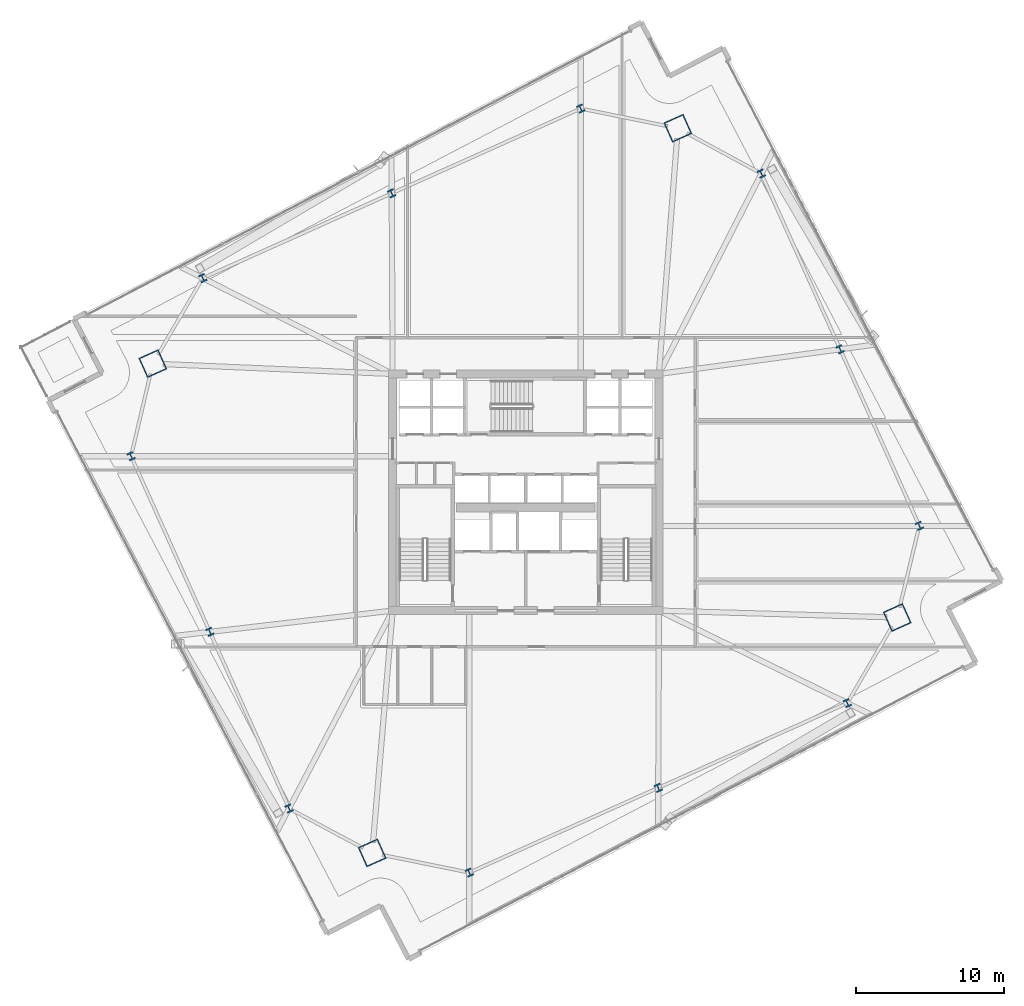
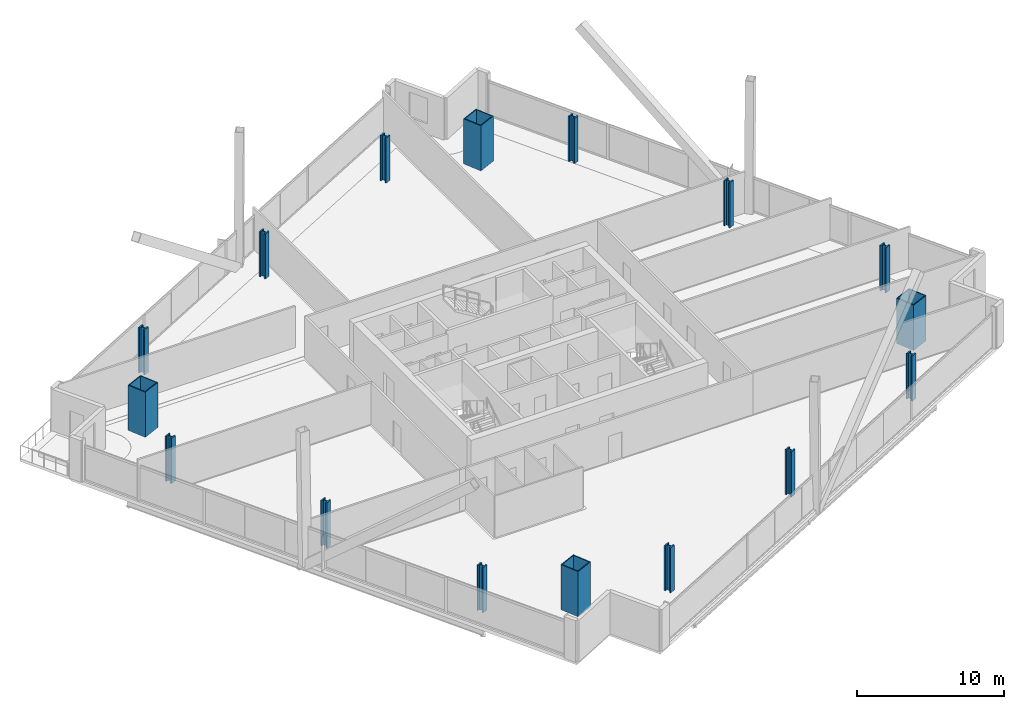
# One storey, part 1 of 33: 16 columns.
"""IFC4 building model written with IfcOpenShell, lengths in metres."""

import ifcopenshell
import ifcopenshell.guid

model = None  # the IFC model being written
_history = None  # IfcOwnerHistory: only IFC2X3 demands one
_inside = {}  # id of a spatial element -> (the spatial element, [elements in it])
_under = {}  # id of a project, library or spatial element -> (it, [spatial elements below it])
_declared = {}  # id of a project -> (the project, [libraries it declares])
_typed = {}  # id of a type object -> (the type object, [elements of that type])
_made_of = {}  # id of a material, layer set ... -> (it, [elements and type objects made of it])


def new_model(schema):
    """Start an empty IFC model of exactly this schema.

    Asked for "IFC4X3", IfcOpenShell would pick the latest addendum, in which some entities
    have other attributes; the version numbers below select the first issue.
    IFC2X3 requires an IfcOwnerHistory on every rooted entity: one is made here for all.
    """
    global model, _history
    if schema == "IFC4X3":
        model = ifcopenshell.file(schema_version=(4, 3, 0, 0))
    else:
        model = ifcopenshell.file(schema=schema)
    _inside.clear()
    _under.clear()
    _declared.clear()
    _typed.clear()
    _made_of.clear()
    _history = None
    if model.schema == "IFC2X3":
        org = make("IfcOrganization", Name="unknown")
        user = make(
            "IfcPersonAndOrganization",
            ThePerson=make("IfcPerson", FamilyName="unknown"),
            TheOrganization=org,
        )
        app = make(
            "IfcApplication",
            ApplicationDeveloper=org,
            Version="unknown",
            ApplicationFullName="unknown",
            ApplicationIdentifier="unknown",
        )
        _history = make(
            "IfcOwnerHistory",
            OwningUser=user,
            OwningApplication=app,
            ChangeAction="ADDED",
            CreationDate=0,
        )
    return model


def make(cls, **values):
    """One entity of the class cls with the attributes given. An attribute that is None is left unset."""
    return model.create_entity(
        cls, **{name: value for name, value in values.items() if value is not None}
    )


def rooted(cls, **values):
    """An entity with a GlobalId (a new one), such as an element, a storey or a relation."""
    return make(cls, GlobalId=ifcopenshell.guid.new(), OwnerHistory=_history, **values)


def si_unit(unit_type, name, prefix=None):
    """IfcSIUnit, for example si_unit("LENGTHUNIT", "METRE", prefix="MILLI")."""
    return make("IfcSIUnit", UnitType=unit_type, Prefix=prefix, Name=name)


def assignment(units):
    """IfcUnitAssignment: the units of a project."""
    return None if units is None else make("IfcUnitAssignment", Units=units)


def point(xyz):
    """IfcCartesianPoint."""
    return None if xyz is None else make("IfcCartesianPoint", Coordinates=xyz)


def direction(xyz):
    """IfcDirection."""
    return None if xyz is None else make("IfcDirection", DirectionRatios=xyz)


def frame(location, z_axis=None, x_axis=None):
    """IfcAxis2Placement3D, a coordinate frame: its origin and axes. An axis left out is left unset."""
    return make(
        "IfcAxis2Placement3D",
        Location=point(location),
        Axis=direction(z_axis),
        RefDirection=direction(x_axis),
    )


def frame_2d(location, x_axis=None):
    """IfcAxis2Placement2D, a coordinate frame in the plane: its origin and x axis."""
    return make(
        "IfcAxis2Placement2D", Location=point(location), RefDirection=direction(x_axis)
    )


def origin():
    """The frame at (0, 0, 0) with its axes left unset."""
    return frame((0.0, 0.0, 0.0))


def origin_2d():
    """The frame at (0, 0) in the plane with its x axis left unset."""
    return frame_2d((0.0, 0.0))


def place(relative_to, where):
    """IfcLocalPlacement: puts the frame where relative to a parent placement (None: the world)."""
    return make(
        "IfcLocalPlacement", PlacementRelTo=relative_to, RelativePlacement=where
    )


def context(
    kind, dimensions, precision=None, world=None, true_north=None, identifier=None
):
    """IfcGeometricRepresentationContext, for example the 3D "Model" context."""
    return make(
        "IfcGeometricRepresentationContext",
        ContextIdentifier=identifier,
        ContextType=kind,
        CoordinateSpaceDimension=dimensions,
        Precision=precision,
        WorldCoordinateSystem=world,
        TrueNorth=true_north,
    )


def subcontext(parent, identifier, kind, view, scale=None):
    """IfcGeometricRepresentationSubContext, for example "Body" below "Model"."""
    return make(
        "IfcGeometricRepresentationSubContext",
        ContextIdentifier=identifier,
        ContextType=kind,
        ParentContext=parent,
        TargetScale=scale,
        TargetView=view,
    )


def project(units=None, contexts=None):
    """IfcProject with its units and contexts."""
    return rooted(
        "IfcProject",
        Name="project",
        RepresentationContexts=contexts,
        UnitsInContext=assignment(units),
    )


def spatial(cls, under=None, at=None, **own):
    """A site, building, storey or space (cls), placed at a placement, below another one or the project."""
    s = rooted(cls, ObjectPlacement=at, **own)
    if under is not None:
        _under.setdefault(under.id(), (under, []))[1].append(s)
    return s


def profile(cls, at=None, kind="AREA", **sizes):
    """A parametric profile (cls). Its sizes go by their IFC names, for example OverallWidth=200.0."""
    return make(cls, ProfileType=kind, Position=at, **sizes)


def hollow_rectangle(**sizes):
    """IfcRectangleHollowProfileDef."""
    return profile("IfcRectangleHollowProfileDef", **sizes)


def i_section(**sizes):
    """IfcIShapeProfileDef."""
    return profile("IfcIShapeProfileDef", **sizes)


def extrude(swept, where, along, depth):
    """IfcExtrudedAreaSolid: the profile swept, set in the frame where, extruded along a direction by depth."""
    return make(
        "IfcExtrudedAreaSolid",
        SweptArea=swept,
        Position=where,
        ExtrudedDirection=direction(along),
        Depth=depth,
    )


def shape(context_of_items, identifier, shape_type, items):
    """IfcShapeRepresentation: the items that make up one representation, for example the "Body"."""
    return make(
        "IfcShapeRepresentation",
        ContextOfItems=context_of_items,
        RepresentationIdentifier=identifier,
        RepresentationType=shape_type,
        Items=items,
    )


def material(Name=None, Category=None):
    """IfcMaterial."""
    return make("IfcMaterial", Name=Name, Category=Category)


def material_profile(
    of_material, cross_section, Name=None, Category=None, Priority=None
):
    """IfcMaterialProfile: a cross section and its material."""
    return make(
        "IfcMaterialProfile",
        Name=Name,
        Material=of_material,
        Profile=cross_section,
        Priority=Priority,
        Category=Category,
    )


def profile_set(profiles, Name=None, composite=None):
    """IfcMaterialProfileSet."""
    return make(
        "IfcMaterialProfileSet",
        Name=Name,
        MaterialProfiles=profiles,
        CompositeProfile=composite,
    )


def made_of(thing, what):
    """Note that an element or type object is made of a material, layer set ...; save() writes the relation."""
    if what is not None:
        _made_of.setdefault(what.id(), (what, []))[1].append(thing)
    return thing


def type_object(cls, material=None, **own):
    """A type object (cls), such as IfcWallType, which elements share."""
    return made_of(rooted(cls, **own), material)


def element(
    cls,
    number,
    at=None,
    inside=None,
    cuts=None,
    type_object=None,
    material=None,
    context=None,
    identifier="Body",
    shape_type=None,
    held_by="IfcProductDefinitionShape",
    body=None,
    shapes=None,
    **own,
):
    """One element of the class cls, such as IfcWall. Its Tag is "e" and its number.

    at: its placement. inside: the storey or other place that contains it. cuts: it is an
    opening in that element (IfcRelVoidsElement). A single representation is given by context,
    identifier, shape_type and body (its items); several are given by shapes. held_by: the class
    of the entity that holds the representations. save() writes the other relations.
    """
    e = rooted(cls, Tag="e%d" % number, ObjectPlacement=at, **own)
    if body is not None:
        shapes = [shape(context, identifier, shape_type, body)]
    if shapes is not None:
        e.Representation = make(held_by, Representations=shapes)
    if inside is not None:
        _inside.setdefault(inside.id(), (inside, []))[1].append(e)
    if cuts is not None:
        rooted(
            "IfcRelVoidsElement", RelatingBuildingElement=cuts, RelatedOpeningElement=e
        )
    if type_object is not None:
        _typed.setdefault(type_object.id(), (type_object, []))[1].append(e)
    return made_of(e, material)


def aggregate(whole, parts):
    """IfcRelAggregates: a whole, such as a stair, and the parts it consists of."""
    return rooted("IfcRelAggregates", RelatingObject=whole, RelatedObjects=parts)


def save(model, path):
    """Write the relations noted so far, then the file.

    IfcRelAggregates (storeys below a building ...), IfcRelContainedInSpatialStructure (elements
    in a storey), IfcRelDefinesByType, IfcRelAssociatesMaterial and IfcRelDeclares: one each for
    every whole, place, type object, material and project.
    """
    for whole, parts in _under.values():
        aggregate(whole, parts)
    for where, things in _inside.values():
        rooted(
            "IfcRelContainedInSpatialStructure",
            RelatedElements=things,
            RelatingStructure=where,
        )
    for kind, things in _typed.values():
        rooted("IfcRelDefinesByType", RelatedObjects=things, RelatingType=kind)
    for what, things in _made_of.values():
        rooted("IfcRelAssociatesMaterial", RelatedObjects=things, RelatingMaterial=what)
    for by, libraries in _declared.values():
        rooted("IfcRelDeclares", RelatingContext=by, RelatedDefinitions=libraries)
    model.write(path)


model = new_model("IFC4")

# Units and contexts
model_context = context("Model", 3, precision=1e-05, world=origin(), true_north=direction((0.0, 1.0)))
body_context = subcontext(model_context, "Body", "Model", "MODEL_VIEW")
ifc_project = project(units=[si_unit("LENGTHUNIT", "METRE"), si_unit("AREAUNIT", "SQUARE_METRE"), si_unit("VOLUMEUNIT", "CUBIC_METRE"), si_unit("PLANEANGLEUNIT", "RADIAN"), si_unit("MASSUNIT", "GRAM", prefix="KILO")], contexts=[model_context])

# Site, building, storey
site_placement = place(None, origin())
site = spatial("IfcSite", under=ifc_project, at=site_placement, CompositionType="ELEMENT")
building_placement = place(site_placement, origin())
building = spatial("IfcBuilding", under=site, at=building_placement, Name="Haldenkirk Collegiate Tower", CompositionType="ELEMENT")
storey_placement = place(building_placement, frame((0.0, 0.0, 120.449951171875)))
storey = spatial("IfcBuildingStorey", under=building, at=storey_placement, Name="L29", CompositionType="ELEMENT", Elevation=120.449951171875)

# Columns
ifc_material_1 = material(Name="Steel ASTM A913 Grade 65", Category="steel")
ifc_material_profile_1 = material_profile(ifc_material_1, i_section(OverallWidth=0.44189453125, OverallDepth=0.531005859375, WebThickness=0.06591796875, FlangeThickness=0.105712890625, at=origin_2d()), Name="W14X605")
ifc_profile_set_1 = profile_set([ifc_material_profile_1], Name="Steel ASTM A913 Grade 65")
column_type_1 = type_object("IfcColumnType", Name="COL-INT-W14X605", PredefinedType="COLUMN", material=ifc_profile_set_1)
for number, where, z_axis, x_axis, name in (
    (1, (32.181396484375, 0.287353515625, 0.0), (0.0, 0.0, 1.0), (0.912477494148, 0.409126902895, 0.0), "L29 perimeter gravity column PC-S1"),
    (2, (44.9599609375, 6.0166015625, 0.0), (0.0, 0.0, 1.0), (0.912477494148, 0.409126902895, 0.0), "L29 perimeter gravity column PC-S2"),
    (3, (57.73828125, 11.74609375, 0.0), (0.0, 0.0, 1.0), (0.912477494148, 0.409126902895, 0.0), "L29 perimeter gravity column PC-S3"),
    (4, (62.608642578125, 23.727294921875, 0.0), (0.0, 0.0, 1.0), (0.912477494148, 0.409126902895, 0.0), "L29 perimeter gravity column PC-E1"),
    (5, (57.255126953125, 35.667236328125, 0.0), (0.0, 0.0, 1.0), (0.912477494148, 0.409126902895, 0.0), "L29 perimeter gravity column PC-E2"),
    (6, (51.930419921875, 47.543212890625, 0.0), (0.0, 0.0, 1.0), (0.912477494148, 0.409126902895, 0.0), "L29 perimeter gravity column PC-E3"),
    (7, (39.71630859375, 51.94091796875, 0.0), (0.0, 0.0, 1.0), (0.912477494148, 0.409126902895, 0.0), "L29 perimeter gravity column PC-N1"),
    (8, (26.937744140625, 46.21142578125, 0.0), (0.0, 0.0, 1.0), (0.912477494148, 0.409126902895, 0.0), "L29 perimeter gravity column PC-N2"),
    (9, (14.159423828125, 40.48193359375, 0.0), (0.0, 0.0, 1.0), (0.912477494148, 0.409126902895, 0.0), "L29 perimeter gravity column PC-N3"),
    (10, (9.317626953125, 28.436767578125, 0.0), (0.0, 0.0, 1.0), (0.912477494148, 0.409126902895, 0.0), "L29 perimeter gravity column PC-W1"),
    (11, (14.642578125, 16.560791015625, 0.0), (0.0, 0.0, 1.0), (0.912477494148, 0.409126902895, 0.0), "L29 perimeter gravity column PC-W2"),
    (12, (19.995849609375, 4.62109375, 0.0), (0.0, 0.0, 1.0), (0.912477494148, 0.409126902895, 0.0), "L29 perimeter gravity column PC-W3"),
):
    element("IfcColumn", number, at=place(storey_placement, frame(where, z_axis=z_axis, x_axis=x_axis)), inside=storey, type_object=column_type_1, Name=name, PredefinedType="COLUMN", context=body_context, shape_type="SweptSolid", body=[
        extrude(i_section(OverallWidth=0.44189453125, OverallDepth=0.531005859375, WebThickness=0.06591796875, FlangeThickness=0.105712890625, at=origin_2d()), origin(), (0.0, 0.0, 1.0), 3.75),
    ])
ifc_material_2 = material(Name="Steel ASTM A572 Grade 50", Category="steel")
ifc_material_profile_2 = material_profile(ifc_material_2, hollow_rectangle(XDim=1.449951171875, YDim=1.449951171875, WallThickness=0.070068359375, at=origin_2d()), Name="BOX1450X1450X70")
ifc_profile_set_2 = profile_set([ifc_material_profile_2], Name="Steel ASTM A572 Grade 50")
column_type_2 = type_object("IfcColumnType", Name="COL-MEGA-BOX1450X1450X70", PredefinedType="COLUMN", material=ifc_profile_set_2)
for number, where, z_axis, x_axis, name in (
    (13, (25.61669921875, 1.617919921875, 0.0), (0.0, 0.0, 1.0), (0.912477494148, 0.409126902895, 0.0), "L29 corner mega-column MC1"),
    (14, (61.112060546875, 17.532958984375, 0.0), (0.0, 0.0, 1.0), (0.912477494148, 0.409126902895, 0.0), "L29 corner mega-column MC2"),
    (15, (46.281005859375, 50.610107421875, 0.0), (0.0, 0.0, 1.0), (0.912477494148, 0.409126902895, 0.0), "L29 corner mega-column MC3"),
    (16, (10.78564453125, 34.6953125, 0.0), (0.0, 0.0, 1.0), (0.912477494148, 0.409126902895, 0.0), "L29 corner mega-column MC4"),
):
    element("IfcColumn", number, at=place(storey_placement, frame(where, z_axis=z_axis, x_axis=x_axis)), inside=storey, type_object=column_type_2, Name=name, PredefinedType="COLUMN", context=body_context, shape_type="SweptSolid", body=[
        extrude(hollow_rectangle(XDim=1.449951171875, YDim=1.449951171875, WallThickness=0.070068359375, at=origin_2d()), origin(), (0.0, 0.0, 1.0), 3.75),
    ])

save(model, "model.ifc")
